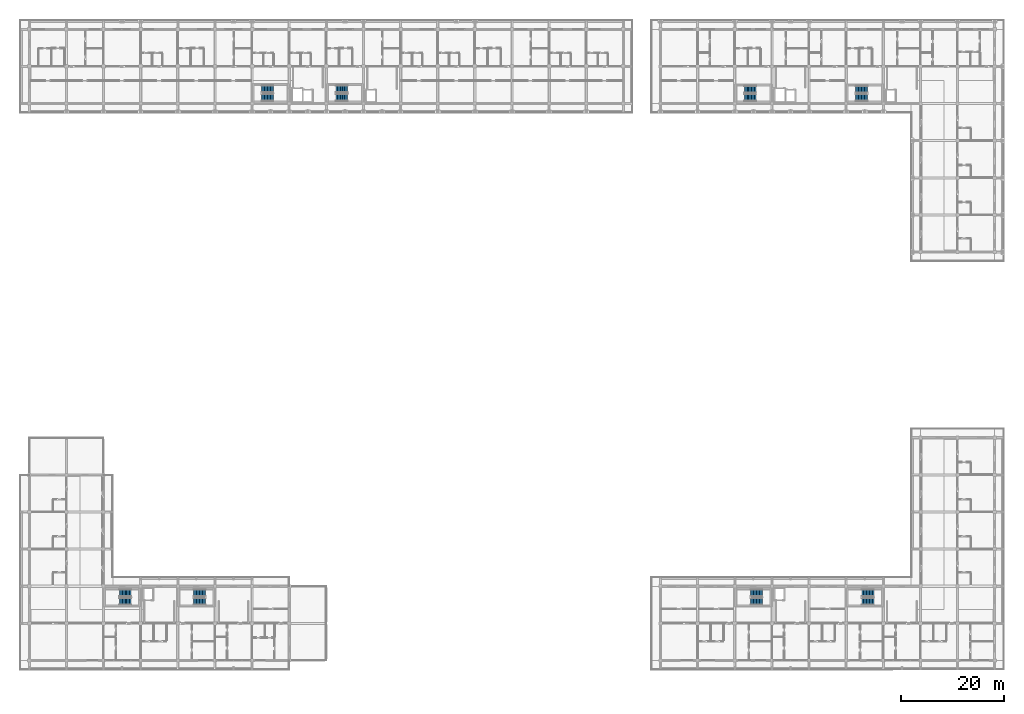
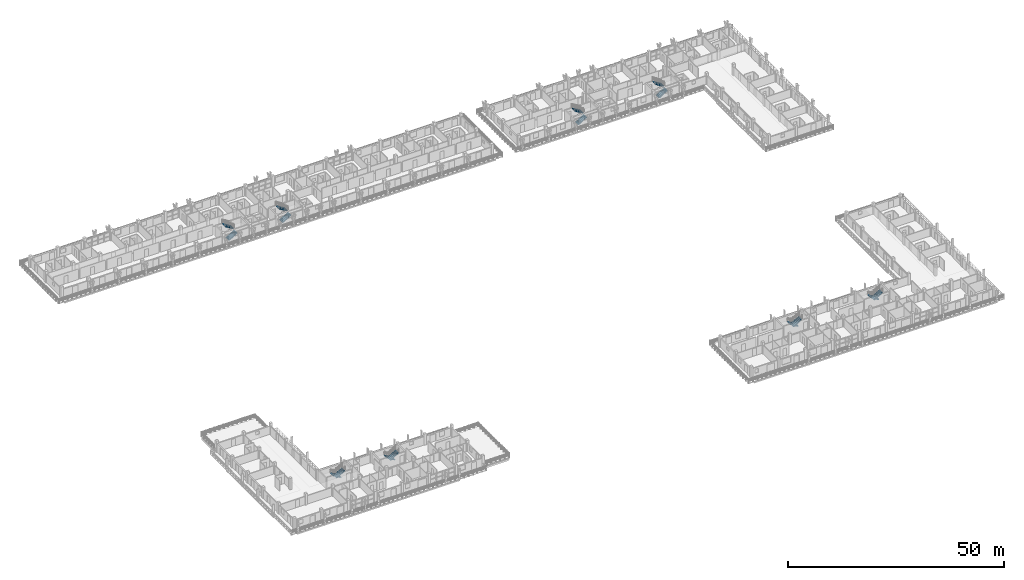
# One storey, part 62 of 78: 16 stair flights, 8 elements without a shape of their own.
"""IFC4 building model written with IfcOpenShell, lengths in metres."""

from ifc_helpers import new_model, si_unit, direction, frame, origin, place, context, subcontext, project, spatial, polyline, outline, extrude, material, type_object, element, aggregate, save


model = new_model("IFC4")

# Units and contexts
model_context = context("Model", 3, precision=1e-05, world=origin(), true_north=direction((0.0, 1.0)))
body_context = subcontext(model_context, "Body", "Model", "MODEL_VIEW")
ifc_project = project(units=[si_unit("LENGTHUNIT", "METRE"), si_unit("AREAUNIT", "SQUARE_METRE"), si_unit("VOLUMEUNIT", "CUBIC_METRE"), si_unit("PLANEANGLEUNIT", "RADIAN"), si_unit("MASSUNIT", "GRAM", prefix="KILO")], contexts=[model_context])

# Site, building, storey
site_placement = place(None, origin())
site = spatial("IfcSite", under=ifc_project, at=site_placement, CompositionType="ELEMENT")
building_placement = place(site_placement, origin())
building = spatial("IfcBuilding", under=site, at=building_placement, Name="Suanplinth Sawtooth Commons", CompositionType="ELEMENT")
storey_placement = place(building_placement, frame((0.0, 0.0, 15.39990234375)))
storey = spatial("IfcBuildingStorey", under=building, at=storey_placement, Name="L04", CompositionType="ELEMENT", Elevation=15.39990234375)

# Stair, stair flights
ifc_material = material(Name="Concrete C40/50", Category="concrete")
stair_type_1 = type_object("IfcStairType", Name="ST-03", PredefinedType="USERDEFINED", material=ifc_material)
stair_1_placement = place(storey_placement, origin())
stair_1 = element("IfcStair", 1, at=stair_1_placement, inside=storey, type_object=stair_type_1, Name="L04 Exit Stair ST-N1", ObjectType="TWO_RETURN_STAIR", PredefinedType="USERDEFINED")
stair_flight_type_1 = type_object("IfcStairFlightType", Name="SF-04", PredefinedType="STRAIGHT", material=ifc_material)
stair_flight_1_placement = place(storey_placement, frame((45.050048828125, 109.175048828125, 0.0), z_axis=(0.0, 0.0, 1.0), x_axis=(1.0, 0.0, 0.0)))
stair_flight_1 = element("IfcStairFlight", 2, at=stair_flight_1_placement, type_object=stair_flight_type_1, Name="ST-03 flight 1", NumberOfRisers=9, NumberOfTreads=8, PredefinedType="STRAIGHT", RiserHeight=0.177777778, TreadLength=0.285, context=body_context, shape_type="SweptSolid", body=[
    extrude(outline(polyline([(0.0, 0.0), (0.0, 0.177734375), (0.284912109375, 0.177734375), (0.284912109375, 0.35546875), (0.570068359375, 0.35546875), (0.570068359375, 0.533447265625), (0.85498046875, 0.533447265625), (0.85498046875, 0.711181640625), (1.139892578125, 0.711181640625), (1.139892578125, 0.888916015625), (1.425048828125, 0.888916015625), (1.425048828125, 1.066650390625), (1.7099609375, 1.066650390625), (1.7099609375, 1.244384765625), (1.9951171875, 1.244384765625), (1.9951171875, 1.422119140625), (2.280029296875, 1.422119140625), (2.280029296875, 1.60009765625), (2.280029296875, 1.233642578125), (0.30224609375, 0.0), (0.0, 0.0)])), frame((0.0, 0.72509765625, 0.0), z_axis=(0.0, -1.0, 0.0), x_axis=(1.0, 0.0, 0.0)), (0.0, 0.0, 1.0), 1.449951171875),
])
stair_flight_2_placement = place(storey_placement, frame((47.330078125, 110.824951171875, 1.60009765625), z_axis=(0.0, 0.0, 1.0), x_axis=(-1.0, 0.0, 0.0)))
stair_flight_2 = element("IfcStairFlight", 3, at=stair_flight_2_placement, type_object=stair_flight_type_1, Name="ST-03 flight 2", NumberOfRisers=9, NumberOfTreads=8, PredefinedType="STRAIGHT", RiserHeight=0.177777778, TreadLength=0.285, context=body_context, shape_type="SweptSolid", body=[
    extrude(outline(polyline([(0.0, 0.0), (0.0, 0.177734375), (0.284912109375, 0.177734375), (0.284912109375, 0.35546875), (0.570068359375, 0.35546875), (0.570068359375, 0.533447265625), (0.85498046875, 0.533447265625), (0.85498046875, 0.711181640625), (1.139892578125, 0.711181640625), (1.139892578125, 0.888916015625), (1.425048828125, 0.888916015625), (1.425048828125, 1.066650390625), (1.7099609375, 1.066650390625), (1.7099609375, 1.244384765625), (1.9951171875, 1.244384765625), (1.9951171875, 1.422119140625), (2.280029296875, 1.422119140625), (2.280029296875, 1.60009765625), (2.280029296875, 1.233642578125), (0.30224609375, 0.0), (0.0, 0.0)])), frame((0.0, 0.72509765625, 0.0), z_axis=(0.0, -1.0, 0.0), x_axis=(1.0, 0.0, 0.0)), (0.0, 0.0, 1.0), 1.449951171875),
])
aggregate(stair_1, [stair_flight_1, stair_flight_2])

stair_2_placement = place(storey_placement, origin())
stair_2 = element("IfcStair", 4, at=stair_2_placement, inside=storey, type_object=stair_type_1, Name="L04 Exit Stair ST-N2", ObjectType="TWO_RETURN_STAIR", PredefinedType="USERDEFINED")
stair_flight_3_placement = place(storey_placement, frame((59.449951171875, 109.175048828125, 0.0), z_axis=(0.0, 0.0, 1.0), x_axis=(1.0, 0.0, 0.0)))
stair_flight_3 = element("IfcStairFlight", 5, at=stair_flight_3_placement, type_object=stair_flight_type_1, Name="ST-03 flight 1", NumberOfRisers=9, NumberOfTreads=8, PredefinedType="STRAIGHT", RiserHeight=0.177777778, TreadLength=0.285, context=body_context, shape_type="SweptSolid", body=[
    extrude(outline(polyline([(0.0, 0.0), (0.0, 0.177734375), (0.284912109375, 0.177734375), (0.284912109375, 0.35546875), (0.570068359375, 0.35546875), (0.570068359375, 0.533447265625), (0.85498046875, 0.533447265625), (0.85498046875, 0.711181640625), (1.139892578125, 0.711181640625), (1.139892578125, 0.888916015625), (1.425048828125, 0.888916015625), (1.425048828125, 1.066650390625), (1.7099609375, 1.066650390625), (1.7099609375, 1.244384765625), (1.9951171875, 1.244384765625), (1.9951171875, 1.422119140625), (2.280029296875, 1.422119140625), (2.280029296875, 1.60009765625), (2.280029296875, 1.233642578125), (0.30224609375, 0.0), (0.0, 0.0)])), frame((0.0, 0.72509765625, 0.0), z_axis=(0.0, -1.0, 0.0), x_axis=(1.0, 0.0, 0.0)), (0.0, 0.0, 1.0), 1.449951171875),
])
stair_flight_4_placement = place(storey_placement, frame((61.72998046875, 110.824951171875, 1.60009765625), z_axis=(0.0, 0.0, 1.0), x_axis=(-1.0, 0.0, 0.0)))
stair_flight_4 = element("IfcStairFlight", 6, at=stair_flight_4_placement, type_object=stair_flight_type_1, Name="ST-03 flight 2", NumberOfRisers=9, NumberOfTreads=8, PredefinedType="STRAIGHT", RiserHeight=0.177777778, TreadLength=0.285, context=body_context, shape_type="SweptSolid", body=[
    extrude(outline(polyline([(0.0, 0.0), (0.0, 0.177734375), (0.284912109375, 0.177734375), (0.284912109375, 0.35546875), (0.570068359375, 0.35546875), (0.570068359375, 0.533447265625), (0.85498046875, 0.533447265625), (0.85498046875, 0.711181640625), (1.139892578125, 0.711181640625), (1.139892578125, 0.888916015625), (1.425048828125, 0.888916015625), (1.425048828125, 1.066650390625), (1.7099609375, 1.066650390625), (1.7099609375, 1.244384765625), (1.9951171875, 1.244384765625), (1.9951171875, 1.422119140625), (2.280029296875, 1.422119140625), (2.280029296875, 1.60009765625), (2.280029296875, 1.233642578125), (0.30224609375, 0.0), (0.0, 0.0)])), frame((0.0, 0.72509765625, 0.0), z_axis=(0.0, -1.0, 0.0), x_axis=(1.0, 0.0, 0.0)), (0.0, 0.0, 1.0), 1.449951171875),
])
aggregate(stair_2, [stair_flight_3, stair_flight_4])

stair_type_2 = type_object("IfcStairType", Name="ST-07", PredefinedType="USERDEFINED", material=ifc_material)
stair_3_placement = place(storey_placement, origin())
stair_3 = element("IfcStair", 7, at=stair_3_placement, inside=storey, type_object=stair_type_2, Name="L04 Exit Stair ST-E1", ObjectType="TWO_RETURN_STAIR", PredefinedType="USERDEFINED")
stair_flight_type_2 = type_object("IfcStairFlightType", Name="SF-08", PredefinedType="STRAIGHT", material=ifc_material)
stair_flight_5_placement = place(storey_placement, frame((138.64990234375, 109.14990234375, 0.0), z_axis=(0.0, 0.0, 1.0), x_axis=(1.0, 0.0, 0.0)))
stair_flight_5 = element("IfcStairFlight", 8, at=stair_flight_5_placement, type_object=stair_flight_type_2, Name="ST-07 flight 1", NumberOfRisers=9, NumberOfTreads=8, PredefinedType="STRAIGHT", RiserHeight=0.177777778, TreadLength=0.285, context=body_context, shape_type="SweptSolid", body=[
    extrude(outline(polyline([(0.0, 0.0), (0.0, 0.177734375), (0.284912109375, 0.177734375), (0.284912109375, 0.35546875), (0.570068359375, 0.35546875), (0.570068359375, 0.533447265625), (0.85498046875, 0.533447265625), (0.85498046875, 0.711181640625), (1.139892578125, 0.711181640625), (1.139892578125, 0.888916015625), (1.425048828125, 0.888916015625), (1.425048828125, 1.066650390625), (1.7099609375, 1.066650390625), (1.7099609375, 1.244384765625), (1.9951171875, 1.244384765625), (1.9951171875, 1.422119140625), (2.280029296875, 1.422119140625), (2.280029296875, 1.60009765625), (2.280029296875, 1.233642578125), (0.30224609375, 0.0), (0.0, 0.0)])), frame((0.0, 0.699951171875, 0.0), z_axis=(0.0, -1.0, 0.0), x_axis=(1.0, 0.0, 0.0)), (0.0, 0.0, 1.0), 1.39990234375),
])
stair_flight_6_placement = place(storey_placement, frame((140.929931640625, 110.75, 1.60009765625), z_axis=(0.0, 0.0, 1.0), x_axis=(-1.0, 0.0, 0.0)))
stair_flight_6 = element("IfcStairFlight", 9, at=stair_flight_6_placement, type_object=stair_flight_type_2, Name="ST-07 flight 2", NumberOfRisers=9, NumberOfTreads=8, PredefinedType="STRAIGHT", RiserHeight=0.177777778, TreadLength=0.285, context=body_context, shape_type="SweptSolid", body=[
    extrude(outline(polyline([(0.0, 0.0), (0.0, 0.177734375), (0.284912109375, 0.177734375), (0.284912109375, 0.35546875), (0.570068359375, 0.35546875), (0.570068359375, 0.533447265625), (0.85498046875, 0.533447265625), (0.85498046875, 0.711181640625), (1.139892578125, 0.711181640625), (1.139892578125, 0.888916015625), (1.425048828125, 0.888916015625), (1.425048828125, 1.066650390625), (1.7099609375, 1.066650390625), (1.7099609375, 1.244384765625), (1.9951171875, 1.244384765625), (1.9951171875, 1.422119140625), (2.280029296875, 1.422119140625), (2.280029296875, 1.60009765625), (2.280029296875, 1.233642578125), (0.30224609375, 0.0), (0.0, 0.0)])), frame((0.0, 0.699951171875, 0.0), z_axis=(0.0, -1.0, 0.0), x_axis=(1.0, 0.0, 0.0)), (0.0, 0.0, 1.0), 1.39990234375),
])
aggregate(stair_3, [stair_flight_5, stair_flight_6])

stair_4_placement = place(storey_placement, origin())
stair_4 = element("IfcStair", 10, at=stair_4_placement, inside=storey, type_object=stair_type_2, Name="L04 Exit Stair ST-E2", ObjectType="TWO_RETURN_STAIR", PredefinedType="USERDEFINED")
stair_flight_7_placement = place(storey_placement, frame((160.25, 109.14990234375, 0.0), z_axis=(0.0, 0.0, 1.0), x_axis=(1.0, 0.0, 0.0)))
stair_flight_7 = element("IfcStairFlight", 11, at=stair_flight_7_placement, type_object=stair_flight_type_2, Name="ST-07 flight 1", NumberOfRisers=9, NumberOfTreads=8, PredefinedType="STRAIGHT", RiserHeight=0.177777778, TreadLength=0.285, context=body_context, shape_type="SweptSolid", body=[
    extrude(outline(polyline([(0.0, 0.0), (0.0, 0.177734375), (0.284912109375, 0.177734375), (0.284912109375, 0.35546875), (0.570068359375, 0.35546875), (0.570068359375, 0.533447265625), (0.85498046875, 0.533447265625), (0.85498046875, 0.711181640625), (1.139892578125, 0.711181640625), (1.139892578125, 0.888916015625), (1.425048828125, 0.888916015625), (1.425048828125, 1.066650390625), (1.7099609375, 1.066650390625), (1.7099609375, 1.244384765625), (1.9951171875, 1.244384765625), (1.9951171875, 1.422119140625), (2.280029296875, 1.422119140625), (2.280029296875, 1.60009765625), (2.280029296875, 1.233642578125), (0.30224609375, 0.0), (0.0, 0.0)])), frame((0.0, 0.699951171875, 0.0), z_axis=(0.0, -1.0, 0.0), x_axis=(1.0, 0.0, 0.0)), (0.0, 0.0, 1.0), 1.39990234375),
])
stair_flight_8_placement = place(storey_placement, frame((162.530029296875, 110.75, 1.60009765625), z_axis=(0.0, 0.0, 1.0), x_axis=(-1.0, 0.0, 0.0)))
stair_flight_8 = element("IfcStairFlight", 12, at=stair_flight_8_placement, type_object=stair_flight_type_2, Name="ST-07 flight 2", NumberOfRisers=9, NumberOfTreads=8, PredefinedType="STRAIGHT", RiserHeight=0.177777778, TreadLength=0.285, context=body_context, shape_type="SweptSolid", body=[
    extrude(outline(polyline([(0.0, 0.0), (0.0, 0.177734375), (0.284912109375, 0.177734375), (0.284912109375, 0.35546875), (0.570068359375, 0.35546875), (0.570068359375, 0.533447265625), (0.85498046875, 0.533447265625), (0.85498046875, 0.711181640625), (1.139892578125, 0.711181640625), (1.139892578125, 0.888916015625), (1.425048828125, 0.888916015625), (1.425048828125, 1.066650390625), (1.7099609375, 1.066650390625), (1.7099609375, 1.244384765625), (1.9951171875, 1.244384765625), (1.9951171875, 1.422119140625), (2.280029296875, 1.422119140625), (2.280029296875, 1.60009765625), (2.280029296875, 1.233642578125), (0.30224609375, 0.0), (0.0, 0.0)])), frame((0.0, 0.699951171875, 0.0), z_axis=(0.0, -1.0, 0.0), x_axis=(1.0, 0.0, 0.0)), (0.0, 0.0, 1.0), 1.39990234375),
])
aggregate(stair_4, [stair_flight_7, stair_flight_8])

stair_5_placement = place(storey_placement, origin())
stair_5 = element("IfcStair", 13, at=stair_5_placement, inside=storey, type_object=stair_type_2, Name="L04 Exit Stair ST-S1", ObjectType="TWO_RETURN_STAIR", PredefinedType="USERDEFINED")
stair_flight_9_placement = place(storey_placement, frame((142.14990234375, 13.050048828125, 0.0), z_axis=(0.0, 0.0, 1.0), x_axis=(-1.0, 0.0, 0.0)))
stair_flight_9 = element("IfcStairFlight", 14, at=stair_flight_9_placement, type_object=stair_flight_type_2, Name="ST-07 flight 1", NumberOfRisers=9, NumberOfTreads=8, PredefinedType="STRAIGHT", RiserHeight=0.177777778, TreadLength=0.285, context=body_context, shape_type="SweptSolid", body=[
    extrude(outline(polyline([(0.0, 0.0), (0.0, 0.177734375), (0.284912109375, 0.177734375), (0.284912109375, 0.35546875), (0.570068359375, 0.35546875), (0.570068359375, 0.533447265625), (0.85498046875, 0.533447265625), (0.85498046875, 0.711181640625), (1.139892578125, 0.711181640625), (1.139892578125, 0.888916015625), (1.425048828125, 0.888916015625), (1.425048828125, 1.066650390625), (1.7099609375, 1.066650390625), (1.7099609375, 1.244384765625), (1.9951171875, 1.244384765625), (1.9951171875, 1.422119140625), (2.280029296875, 1.422119140625), (2.280029296875, 1.60009765625), (2.280029296875, 1.233642578125), (0.30224609375, 0.0), (0.0, 0.0)])), frame((0.0, 0.699951171875, 0.0), z_axis=(0.0, -1.0, 0.0), x_axis=(1.0, 0.0, 0.0)), (0.0, 0.0, 1.0), 1.39990234375),
])
stair_flight_10_placement = place(storey_placement, frame((139.8701171875, 11.449951171875, 1.60009765625), z_axis=(0.0, 0.0, 1.0), x_axis=(1.0, 0.0, 0.0)))
stair_flight_10 = element("IfcStairFlight", 15, at=stair_flight_10_placement, type_object=stair_flight_type_2, Name="ST-07 flight 2", NumberOfRisers=9, NumberOfTreads=8, PredefinedType="STRAIGHT", RiserHeight=0.177777778, TreadLength=0.285, context=body_context, shape_type="SweptSolid", body=[
    extrude(outline(polyline([(0.0, 0.0), (0.0, 0.177734375), (0.284912109375, 0.177734375), (0.284912109375, 0.35546875), (0.570068359375, 0.35546875), (0.570068359375, 0.533447265625), (0.85498046875, 0.533447265625), (0.85498046875, 0.711181640625), (1.139892578125, 0.711181640625), (1.139892578125, 0.888916015625), (1.425048828125, 0.888916015625), (1.425048828125, 1.066650390625), (1.7099609375, 1.066650390625), (1.7099609375, 1.244384765625), (1.9951171875, 1.244384765625), (1.9951171875, 1.422119140625), (2.280029296875, 1.422119140625), (2.280029296875, 1.60009765625), (2.280029296875, 1.233642578125), (0.30224609375, 0.0), (0.0, 0.0)])), frame((0.0, 0.699951171875, 0.0), z_axis=(0.0, -1.0, 0.0), x_axis=(1.0, 0.0, 0.0)), (0.0, 0.0, 1.0), 1.39990234375),
])
aggregate(stair_5, [stair_flight_9, stair_flight_10])

stair_6_placement = place(storey_placement, origin())
stair_6 = element("IfcStair", 16, at=stair_6_placement, inside=storey, type_object=stair_type_2, Name="L04 Exit Stair ST-S2", ObjectType="TWO_RETURN_STAIR", PredefinedType="USERDEFINED")
stair_flight_11_placement = place(storey_placement, frame((163.75, 13.050048828125, 0.0), z_axis=(0.0, 0.0, 1.0), x_axis=(-1.0, 0.0, 0.0)))
stair_flight_11 = element("IfcStairFlight", 17, at=stair_flight_11_placement, type_object=stair_flight_type_2, Name="ST-07 flight 1", NumberOfRisers=9, NumberOfTreads=8, PredefinedType="STRAIGHT", RiserHeight=0.177777778, TreadLength=0.285, context=body_context, shape_type="SweptSolid", body=[
    extrude(outline(polyline([(0.0, 0.0), (0.0, 0.177734375), (0.284912109375, 0.177734375), (0.284912109375, 0.35546875), (0.570068359375, 0.35546875), (0.570068359375, 0.533447265625), (0.85498046875, 0.533447265625), (0.85498046875, 0.711181640625), (1.139892578125, 0.711181640625), (1.139892578125, 0.888916015625), (1.425048828125, 0.888916015625), (1.425048828125, 1.066650390625), (1.7099609375, 1.066650390625), (1.7099609375, 1.244384765625), (1.9951171875, 1.244384765625), (1.9951171875, 1.422119140625), (2.280029296875, 1.422119140625), (2.280029296875, 1.60009765625), (2.280029296875, 1.233642578125), (0.30224609375, 0.0), (0.0, 0.0)])), frame((0.0, 0.699951171875, 0.0), z_axis=(0.0, -1.0, 0.0), x_axis=(1.0, 0.0, 0.0)), (0.0, 0.0, 1.0), 1.39990234375),
])
stair_flight_12_placement = place(storey_placement, frame((161.469970703125, 11.449951171875, 1.60009765625), z_axis=(0.0, 0.0, 1.0), x_axis=(1.0, 0.0, 0.0)))
stair_flight_12 = element("IfcStairFlight", 18, at=stair_flight_12_placement, type_object=stair_flight_type_2, Name="ST-07 flight 2", NumberOfRisers=9, NumberOfTreads=8, PredefinedType="STRAIGHT", RiserHeight=0.177777778, TreadLength=0.285, context=body_context, shape_type="SweptSolid", body=[
    extrude(outline(polyline([(0.0, 0.0), (0.0, 0.177734375), (0.284912109375, 0.177734375), (0.284912109375, 0.35546875), (0.570068359375, 0.35546875), (0.570068359375, 0.533447265625), (0.85498046875, 0.533447265625), (0.85498046875, 0.711181640625), (1.139892578125, 0.711181640625), (1.139892578125, 0.888916015625), (1.425048828125, 0.888916015625), (1.425048828125, 1.066650390625), (1.7099609375, 1.066650390625), (1.7099609375, 1.244384765625), (1.9951171875, 1.244384765625), (1.9951171875, 1.422119140625), (2.280029296875, 1.422119140625), (2.280029296875, 1.60009765625), (2.280029296875, 1.233642578125), (0.30224609375, 0.0), (0.0, 0.0)])), frame((0.0, 0.699951171875, 0.0), z_axis=(0.0, -1.0, 0.0), x_axis=(1.0, 0.0, 0.0)), (0.0, 0.0, 1.0), 1.39990234375),
])
aggregate(stair_6, [stair_flight_11, stair_flight_12])

stair_7_placement = place(storey_placement, origin())
stair_7 = element("IfcStair", 19, at=stair_7_placement, inside=storey, type_object=stair_type_2, Name="L04 Exit Stair ST-W1", ObjectType="TWO_RETURN_STAIR", PredefinedType="USERDEFINED")
stair_flight_13_placement = place(storey_placement, frame((19.75, 13.050048828125, 0.0), z_axis=(0.0, 0.0, 1.0), x_axis=(-1.0, 0.0, 0.0)))
stair_flight_13 = element("IfcStairFlight", 20, at=stair_flight_13_placement, type_object=stair_flight_type_2, Name="ST-07 flight 1", NumberOfRisers=9, NumberOfTreads=8, PredefinedType="STRAIGHT", RiserHeight=0.177777778, TreadLength=0.285, context=body_context, shape_type="SweptSolid", body=[
    extrude(outline(polyline([(0.0, 0.0), (0.0, 0.177734375), (0.284912109375, 0.177734375), (0.284912109375, 0.35546875), (0.570068359375, 0.35546875), (0.570068359375, 0.533447265625), (0.85498046875, 0.533447265625), (0.85498046875, 0.711181640625), (1.139892578125, 0.711181640625), (1.139892578125, 0.888916015625), (1.425048828125, 0.888916015625), (1.425048828125, 1.066650390625), (1.7099609375, 1.066650390625), (1.7099609375, 1.244384765625), (1.9951171875, 1.244384765625), (1.9951171875, 1.422119140625), (2.280029296875, 1.422119140625), (2.280029296875, 1.60009765625), (2.280029296875, 1.233642578125), (0.30224609375, 0.0), (0.0, 0.0)])), frame((0.0, 0.699951171875, 0.0), z_axis=(0.0, -1.0, 0.0), x_axis=(1.0, 0.0, 0.0)), (0.0, 0.0, 1.0), 1.39990234375),
])
stair_flight_14_placement = place(storey_placement, frame((17.469970703125, 11.449951171875, 1.60009765625), z_axis=(0.0, 0.0, 1.0), x_axis=(1.0, 0.0, 0.0)))
stair_flight_14 = element("IfcStairFlight", 21, at=stair_flight_14_placement, type_object=stair_flight_type_2, Name="ST-07 flight 2", NumberOfRisers=9, NumberOfTreads=8, PredefinedType="STRAIGHT", RiserHeight=0.177777778, TreadLength=0.285, context=body_context, shape_type="SweptSolid", body=[
    extrude(outline(polyline([(0.0, 0.0), (0.0, 0.177734375), (0.284912109375, 0.177734375), (0.284912109375, 0.35546875), (0.570068359375, 0.35546875), (0.570068359375, 0.533447265625), (0.85498046875, 0.533447265625), (0.85498046875, 0.711181640625), (1.139892578125, 0.711181640625), (1.139892578125, 0.888916015625), (1.425048828125, 0.888916015625), (1.425048828125, 1.066650390625), (1.7099609375, 1.066650390625), (1.7099609375, 1.244384765625), (1.9951171875, 1.244384765625), (1.9951171875, 1.422119140625), (2.280029296875, 1.422119140625), (2.280029296875, 1.60009765625), (2.280029296875, 1.233642578125), (0.30224609375, 0.0), (0.0, 0.0)])), frame((0.0, 0.699951171875, 0.0), z_axis=(0.0, -1.0, 0.0), x_axis=(1.0, 0.0, 0.0)), (0.0, 0.0, 1.0), 1.39990234375),
])
aggregate(stair_7, [stair_flight_13, stair_flight_14])

stair_8_placement = place(storey_placement, origin())
stair_8 = element("IfcStair", 22, at=stair_8_placement, inside=storey, type_object=stair_type_2, Name="L04 Exit Stair ST-W2", ObjectType="TWO_RETURN_STAIR", PredefinedType="USERDEFINED")
stair_flight_15_placement = place(storey_placement, frame((34.14990234375, 13.050048828125, 0.0), z_axis=(0.0, 0.0, 1.0), x_axis=(-1.0, 0.0, 0.0)))
stair_flight_15 = element("IfcStairFlight", 23, at=stair_flight_15_placement, type_object=stair_flight_type_2, Name="ST-07 flight 1", NumberOfRisers=9, NumberOfTreads=8, PredefinedType="STRAIGHT", RiserHeight=0.177777778, TreadLength=0.285, context=body_context, shape_type="SweptSolid", body=[
    extrude(outline(polyline([(0.0, 0.0), (0.0, 0.177734375), (0.284912109375, 0.177734375), (0.284912109375, 0.35546875), (0.570068359375, 0.35546875), (0.570068359375, 0.533447265625), (0.85498046875, 0.533447265625), (0.85498046875, 0.711181640625), (1.139892578125, 0.711181640625), (1.139892578125, 0.888916015625), (1.425048828125, 0.888916015625), (1.425048828125, 1.066650390625), (1.7099609375, 1.066650390625), (1.7099609375, 1.244384765625), (1.9951171875, 1.244384765625), (1.9951171875, 1.422119140625), (2.280029296875, 1.422119140625), (2.280029296875, 1.60009765625), (2.280029296875, 1.233642578125), (0.30224609375, 0.0), (0.0, 0.0)])), frame((0.0, 0.699951171875, 0.0), z_axis=(0.0, -1.0, 0.0), x_axis=(1.0, 0.0, 0.0)), (0.0, 0.0, 1.0), 1.39990234375),
])
stair_flight_16_placement = place(storey_placement, frame((31.8701171875, 11.449951171875, 1.60009765625), z_axis=(0.0, 0.0, 1.0), x_axis=(1.0, 0.0, 0.0)))
stair_flight_16 = element("IfcStairFlight", 24, at=stair_flight_16_placement, type_object=stair_flight_type_2, Name="ST-07 flight 2", NumberOfRisers=9, NumberOfTreads=8, PredefinedType="STRAIGHT", RiserHeight=0.177777778, TreadLength=0.285, context=body_context, shape_type="SweptSolid", body=[
    extrude(outline(polyline([(0.0, 0.0), (0.0, 0.177734375), (0.284912109375, 0.177734375), (0.284912109375, 0.35546875), (0.570068359375, 0.35546875), (0.570068359375, 0.533447265625), (0.85498046875, 0.533447265625), (0.85498046875, 0.711181640625), (1.139892578125, 0.711181640625), (1.139892578125, 0.888916015625), (1.425048828125, 0.888916015625), (1.425048828125, 1.066650390625), (1.7099609375, 1.066650390625), (1.7099609375, 1.244384765625), (1.9951171875, 1.244384765625), (1.9951171875, 1.422119140625), (2.280029296875, 1.422119140625), (2.280029296875, 1.60009765625), (2.280029296875, 1.233642578125), (0.30224609375, 0.0), (0.0, 0.0)])), frame((0.0, 0.699951171875, 0.0), z_axis=(0.0, -1.0, 0.0), x_axis=(1.0, 0.0, 0.0)), (0.0, 0.0, 1.0), 1.39990234375),
])
aggregate(stair_8, [stair_flight_15, stair_flight_16])

save(model, "model.ifc")
